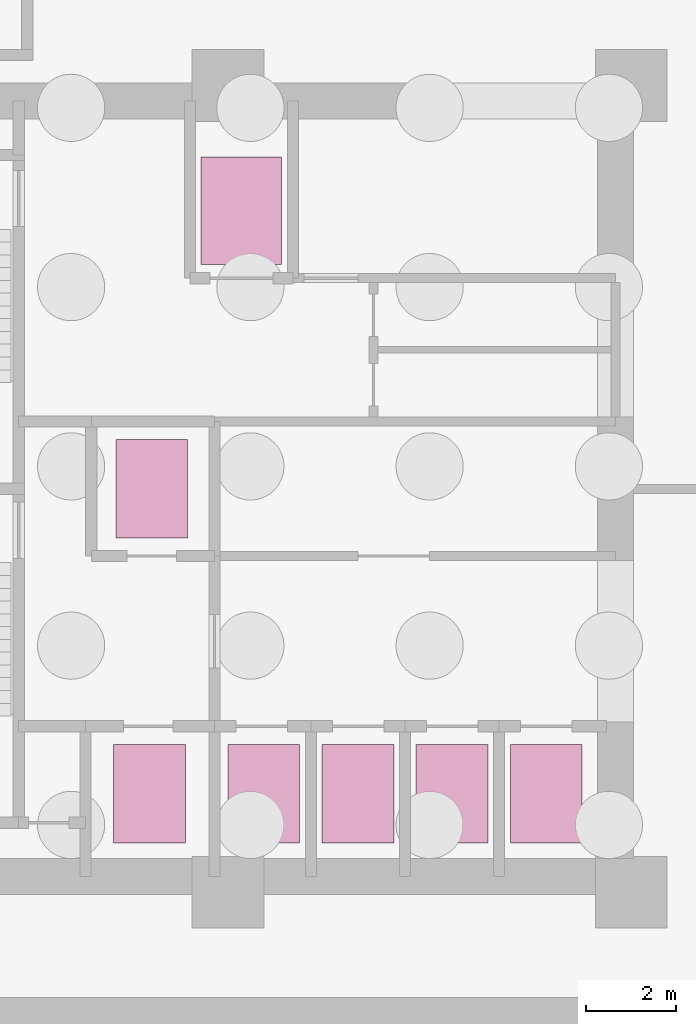
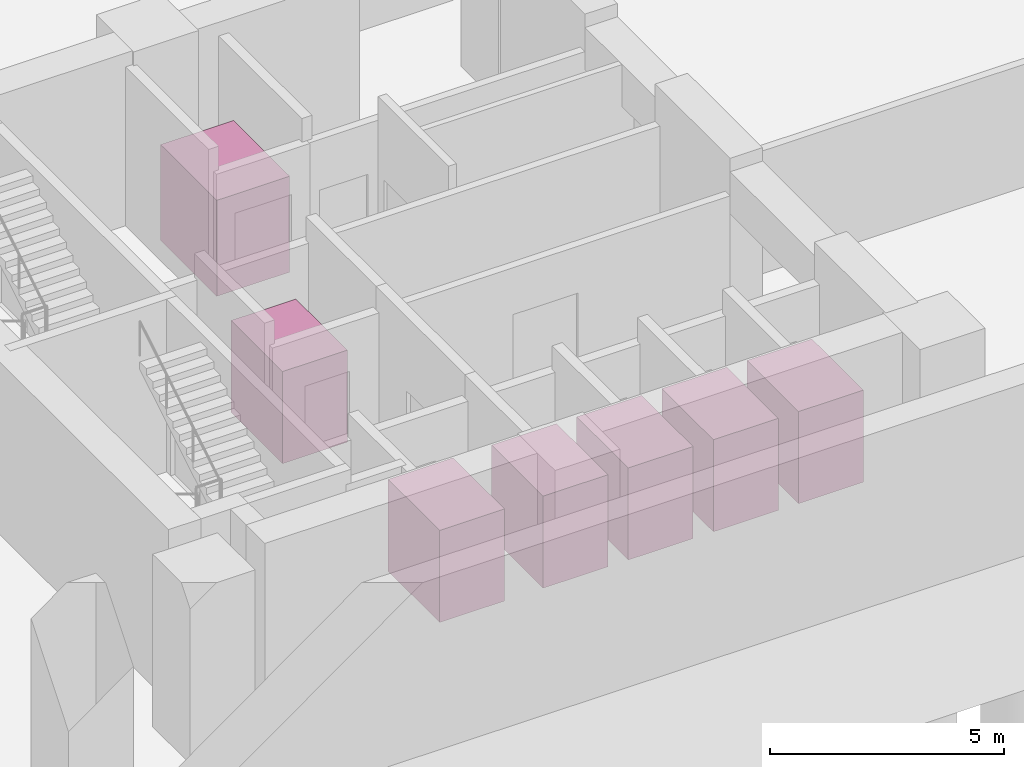
# One storey, part 10 of 10: 7 transport elements.
"""IFC4 building model written with IfcOpenShell, lengths in metres."""

from ifc_helpers import new_model, si_unit, direction, frame, origin, origin_2d, place, context, subcontext, project, spatial, rectangle, extrude, material, type_object, element, save


model = new_model("IFC4")

# Units and contexts
model_context = context("Model", 3, precision=1e-05, world=origin(), true_north=direction((0.0, 1.0)))
body_context = subcontext(model_context, "Body", "Model", "MODEL_VIEW")
ifc_project = project(units=[si_unit("LENGTHUNIT", "METRE"), si_unit("AREAUNIT", "SQUARE_METRE"), si_unit("VOLUMEUNIT", "CUBIC_METRE"), si_unit("PLANEANGLEUNIT", "RADIAN"), si_unit("MASSUNIT", "GRAM", prefix="KILO")], contexts=[model_context])

# Site, building, storey
site_placement = place(None, origin())
site = spatial("IfcSite", under=ifc_project, at=site_placement, CompositionType="ELEMENT")
building_placement = place(site_placement, origin())
building = spatial("IfcBuilding", under=site, at=building_placement, Name="Mawjdan Bourse Tower", CompositionType="ELEMENT")
storey_placement = place(building_placement, frame((0.0, 0.0, -13.5)))
storey = spatial("IfcBuildingStorey", under=building, at=storey_placement, Name="B03", CompositionType="ELEMENT", Elevation=-13.5)

# Transport elements
ifc_material_1 = material(Name="Fire-Rated Stainless Steel", Category="steel")
transport_element_type_1 = type_object("IfcTransportElementType", Name="LFT-FFL-1800", PredefinedType="ELEVATOR", material=ifc_material_1)
for number, where, z_axis, x_axis, name in (
    (1, (13.25, 5.199951171875, 0.0), (0.0, 0.0, 1.0), (1.0, 0.0, 0.0), "Elevator Car FFL-01"),
    (2, (13.300048828125, 12.0, 0.0), (0.0, 0.0, 1.0), (1.0, 0.0, 0.0), "Elevator Car FFL-02"),
):
    element("IfcTransportElement", number, at=place(storey_placement, frame(where, z_axis=z_axis, x_axis=x_axis)), inside=storey, type_object=transport_element_type_1, Name=name, PredefinedType="ELEVATOR", context=body_context, shape_type="SweptSolid", body=[
        extrude(rectangle(XDim=1.60009765625, YDim=2.199951171875, at=origin_2d()), origin(), (0.0, 0.0, 1.0), 2.39990234375),
    ])
ifc_material_2 = material(Name="Brushed Stainless Steel", Category="steel")
transport_element_type_2 = type_object("IfcTransportElementType", Name="LFT-PAS-1800", PredefinedType="ELEVATOR", material=ifc_material_2)
for number, where, z_axis, x_axis, name in (
    (3, (17.89990234375, 5.199951171875, 0.0), (0.0, 0.0, 1.0), (1.0, 0.0, 0.0), "Elevator Car PL-01"),
    (4, (20.0, 5.199951171875, 0.0), (0.0, 0.0, 1.0), (1.0, 0.0, 0.0), "Elevator Car PL-02"),
    (5, (22.10009765625, 5.199951171875, 0.0), (0.0, 0.0, 1.0), (1.0, 0.0, 0.0), "Elevator Car PL-03"),
    (6, (15.800048828125, 5.199951171875, 0.0), (0.0, 0.0, 1.0), (1.0, 0.0, 0.0), "Elevator Car PL-04"),
):
    element("IfcTransportElement", number, at=place(storey_placement, frame(where, z_axis=z_axis, x_axis=x_axis)), inside=storey, type_object=transport_element_type_2, Name=name, PredefinedType="ELEVATOR", context=body_context, shape_type="SweptSolid", body=[
        extrude(rectangle(XDim=1.60009765625, YDim=2.199951171875, at=origin_2d()), origin(), (0.0, 0.0, 1.0), 2.39990234375),
    ])
ifc_material_3 = material(Name="Heavy-Duty Chequer Stainless Steel", Category="steel")
transport_element_type_3 = type_object("IfcTransportElementType", Name="LFT-SRV-2500", PredefinedType="ELEVATOR", material=ifc_material_3)
transport_element_placement = place(storey_placement, frame((15.300048828125, 18.199951171875, 0.0), z_axis=(0.0, 0.0, 1.0), x_axis=(1.0, 0.0, 0.0)))
element("IfcTransportElement", 7, at=transport_element_placement, inside=storey, type_object=transport_element_type_3, Name="Elevator Car SVL-01", PredefinedType="ELEVATOR", context=body_context, shape_type="SweptSolid", body=[
    extrude(rectangle(XDim=1.800048828125, YDim=2.39990234375, at=origin_2d()), origin(), (0.0, 0.0, 1.0), 2.5),
])

save(model, "model.ifc")
